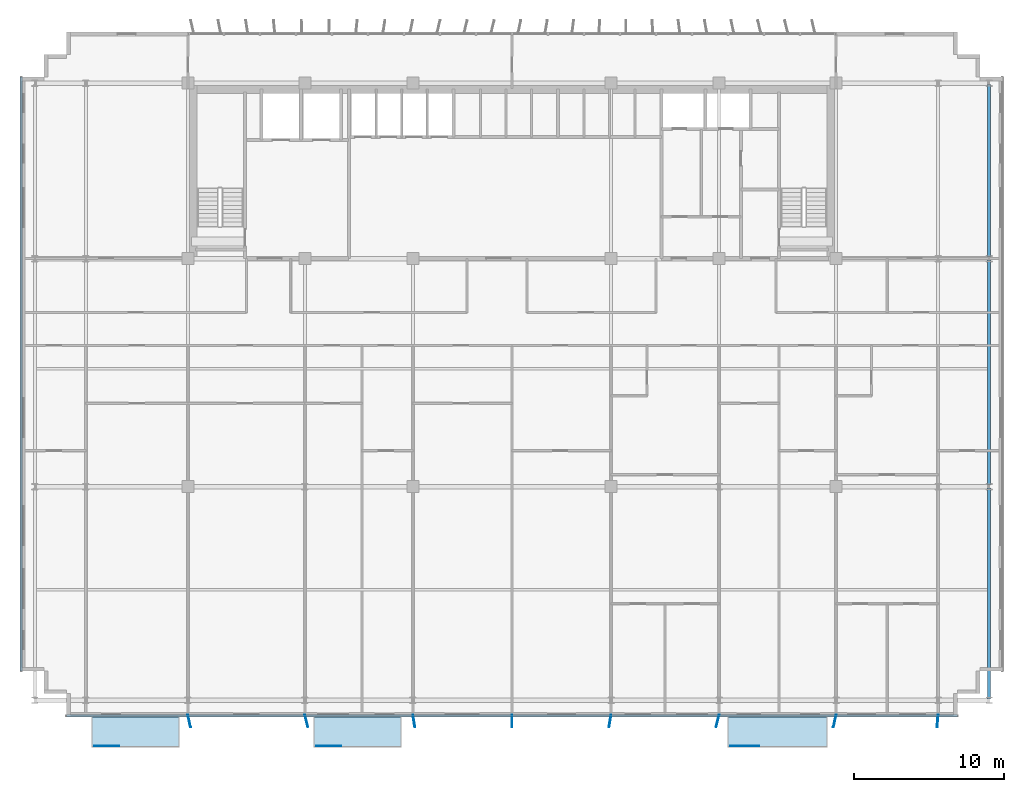
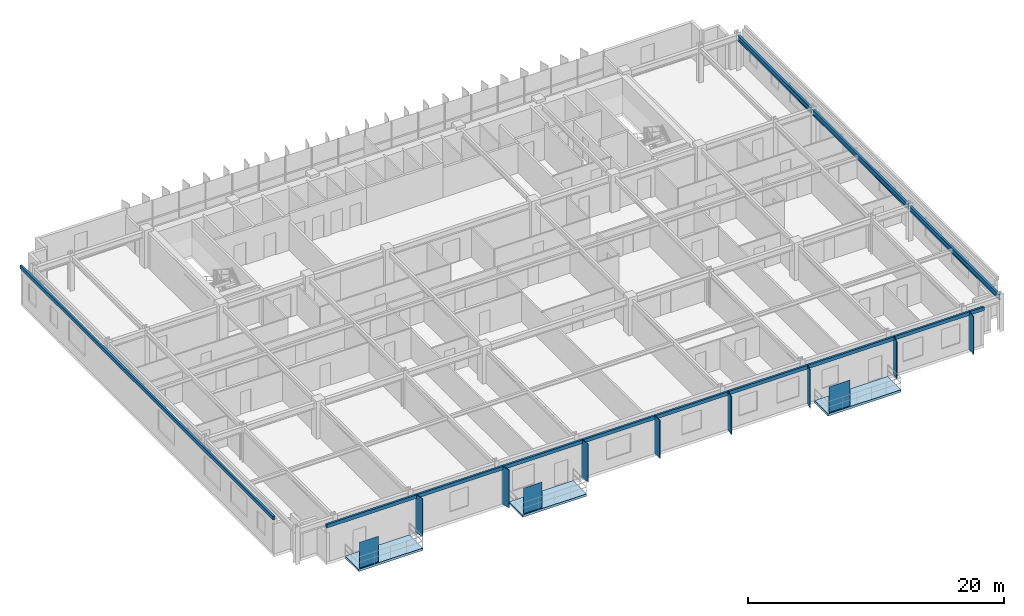
# One storey, part 12 of 21: 13 plates, 3 beams, 3 slabs.
"""IFC4 building model written with IfcOpenShell, lengths in metres."""

import ifcopenshell
import ifcopenshell.guid

model = None  # the IFC model being written
_history = None  # IfcOwnerHistory: only IFC2X3 demands one
_inside = {}  # id of a spatial element -> (the spatial element, [elements in it])
_under = {}  # id of a project, library or spatial element -> (it, [spatial elements below it])
_declared = {}  # id of a project -> (the project, [libraries it declares])
_typed = {}  # id of a type object -> (the type object, [elements of that type])
_made_of = {}  # id of a material, layer set ... -> (it, [elements and type objects made of it])


def new_model(schema):
    """Start an empty IFC model of exactly this schema.

    Asked for "IFC4X3", IfcOpenShell would pick the latest addendum, in which some entities
    have other attributes; the version numbers below select the first issue.
    IFC2X3 requires an IfcOwnerHistory on every rooted entity: one is made here for all.
    """
    global model, _history
    if schema == "IFC4X3":
        model = ifcopenshell.file(schema_version=(4, 3, 0, 0))
    else:
        model = ifcopenshell.file(schema=schema)
    _inside.clear()
    _under.clear()
    _declared.clear()
    _typed.clear()
    _made_of.clear()
    _history = None
    if model.schema == "IFC2X3":
        org = make("IfcOrganization", Name="unknown")
        user = make(
            "IfcPersonAndOrganization",
            ThePerson=make("IfcPerson", FamilyName="unknown"),
            TheOrganization=org,
        )
        app = make(
            "IfcApplication",
            ApplicationDeveloper=org,
            Version="unknown",
            ApplicationFullName="unknown",
            ApplicationIdentifier="unknown",
        )
        _history = make(
            "IfcOwnerHistory",
            OwningUser=user,
            OwningApplication=app,
            ChangeAction="ADDED",
            CreationDate=0,
        )
    return model


def make(cls, **values):
    """One entity of the class cls with the attributes given. An attribute that is None is left unset."""
    return model.create_entity(
        cls, **{name: value for name, value in values.items() if value is not None}
    )


def rooted(cls, **values):
    """An entity with a GlobalId (a new one), such as an element, a storey or a relation."""
    return make(cls, GlobalId=ifcopenshell.guid.new(), OwnerHistory=_history, **values)


def si_unit(unit_type, name, prefix=None):
    """IfcSIUnit, for example si_unit("LENGTHUNIT", "METRE", prefix="MILLI")."""
    return make("IfcSIUnit", UnitType=unit_type, Prefix=prefix, Name=name)


def assignment(units):
    """IfcUnitAssignment: the units of a project."""
    return None if units is None else make("IfcUnitAssignment", Units=units)


def point(xyz):
    """IfcCartesianPoint."""
    return None if xyz is None else make("IfcCartesianPoint", Coordinates=xyz)


def direction(xyz):
    """IfcDirection."""
    return None if xyz is None else make("IfcDirection", DirectionRatios=xyz)


def frame(location, z_axis=None, x_axis=None):
    """IfcAxis2Placement3D, a coordinate frame: its origin and axes. An axis left out is left unset."""
    return make(
        "IfcAxis2Placement3D",
        Location=point(location),
        Axis=direction(z_axis),
        RefDirection=direction(x_axis),
    )


def frame_2d(location, x_axis=None):
    """IfcAxis2Placement2D, a coordinate frame in the plane: its origin and x axis."""
    return make(
        "IfcAxis2Placement2D", Location=point(location), RefDirection=direction(x_axis)
    )


def origin():
    """The frame at (0, 0, 0) with its axes left unset."""
    return frame((0.0, 0.0, 0.0))


def origin_2d():
    """The frame at (0, 0) in the plane with its x axis left unset."""
    return frame_2d((0.0, 0.0))


def place(relative_to, where):
    """IfcLocalPlacement: puts the frame where relative to a parent placement (None: the world)."""
    return make(
        "IfcLocalPlacement", PlacementRelTo=relative_to, RelativePlacement=where
    )


def context(
    kind, dimensions, precision=None, world=None, true_north=None, identifier=None
):
    """IfcGeometricRepresentationContext, for example the 3D "Model" context."""
    return make(
        "IfcGeometricRepresentationContext",
        ContextIdentifier=identifier,
        ContextType=kind,
        CoordinateSpaceDimension=dimensions,
        Precision=precision,
        WorldCoordinateSystem=world,
        TrueNorth=true_north,
    )


def subcontext(parent, identifier, kind, view, scale=None):
    """IfcGeometricRepresentationSubContext, for example "Body" below "Model"."""
    return make(
        "IfcGeometricRepresentationSubContext",
        ContextIdentifier=identifier,
        ContextType=kind,
        ParentContext=parent,
        TargetScale=scale,
        TargetView=view,
    )


def project(units=None, contexts=None):
    """IfcProject with its units and contexts."""
    return rooted(
        "IfcProject",
        Name="project",
        RepresentationContexts=contexts,
        UnitsInContext=assignment(units),
    )


def spatial(cls, under=None, at=None, **own):
    """A site, building, storey or space (cls), placed at a placement, below another one or the project."""
    s = rooted(cls, ObjectPlacement=at, **own)
    if under is not None:
        _under.setdefault(under.id(), (under, []))[1].append(s)
    return s


def polyline(points):
    """IfcPolyline through the points."""
    return make("IfcPolyline", Points=[point(p) for p in points])


def profile(cls, at=None, kind="AREA", **sizes):
    """A parametric profile (cls). Its sizes go by their IFC names, for example OverallWidth=200.0."""
    return make(cls, ProfileType=kind, Position=at, **sizes)


def rectangle(**sizes):
    """IfcRectangleProfileDef."""
    return profile("IfcRectangleProfileDef", **sizes)


def i_section(**sizes):
    """IfcIShapeProfileDef."""
    return profile("IfcIShapeProfileDef", **sizes)


def outline(outer, holes=None, kind="AREA"):
    """IfcArbitraryClosedProfileDef: a profile drawn as a closed curve; with holes, ...WithVoids."""
    if holes is None:
        return make("IfcArbitraryClosedProfileDef", ProfileType=kind, OuterCurve=outer)
    return make(
        "IfcArbitraryProfileDefWithVoids",
        ProfileType=kind,
        OuterCurve=outer,
        InnerCurves=holes,
    )


def extrude(swept, where, along, depth):
    """IfcExtrudedAreaSolid: the profile swept, set in the frame where, extruded along a direction by depth."""
    return make(
        "IfcExtrudedAreaSolid",
        SweptArea=swept,
        Position=where,
        ExtrudedDirection=direction(along),
        Depth=depth,
    )


def shape(context_of_items, identifier, shape_type, items):
    """IfcShapeRepresentation: the items that make up one representation, for example the "Body"."""
    return make(
        "IfcShapeRepresentation",
        ContextOfItems=context_of_items,
        RepresentationIdentifier=identifier,
        RepresentationType=shape_type,
        Items=items,
    )


def source(mapping_origin, context_of_items, identifier, shape_type, items):
    """IfcRepresentationMap: a shape defined once, which mapped items show again and again."""
    return make(
        "IfcRepresentationMap",
        MappingOrigin=mapping_origin,
        MappedRepresentation=shape(context_of_items, identifier, shape_type, items),
    )


def transform(
    local_origin,
    x_axis=None,
    y_axis=None,
    z_axis=None,
    scale=None,
    scale2=None,
    scale3=None,
    uniform=True,
):
    """IfcCartesianTransformationOperator3D, or its non-uniform kind. x_axis, y_axis, z_axis: its Axis1, 2, 3."""
    if uniform:
        return make(
            "IfcCartesianTransformationOperator3D",
            Axis1=direction(x_axis),
            Axis2=direction(y_axis),
            LocalOrigin=point(local_origin),
            Scale=scale,
            Axis3=direction(z_axis),
        )
    return make(
        "IfcCartesianTransformationOperator3DnonUniform",
        Axis1=direction(x_axis),
        Axis2=direction(y_axis),
        LocalOrigin=point(local_origin),
        Scale=scale,
        Axis3=direction(z_axis),
        Scale2=scale2,
        Scale3=scale3,
    )


def mapped(mapping_source, mapping_target):
    """IfcMappedItem: shows the shape of a source again, moved by a transform."""
    return make(
        "IfcMappedItem", MappingSource=mapping_source, MappingTarget=mapping_target
    )


def material(Name=None, Category=None):
    """IfcMaterial."""
    return make("IfcMaterial", Name=Name, Category=Category)


def layer(
    of_material, thickness, ventilated=None, Name=None, Category=None, Priority=None
):
    """IfcMaterialLayer: one layer of a wall or slab, of a material (None: an air gap)."""
    return make(
        "IfcMaterialLayer",
        Material=of_material,
        LayerThickness=thickness,
        IsVentilated=ventilated,
        Name=Name,
        Category=Category,
        Priority=Priority,
    )


def layer_set(layers, Name=None):
    """IfcMaterialLayerSet."""
    return make("IfcMaterialLayerSet", MaterialLayers=layers, LayerSetName=Name)


def material_profile(
    of_material, cross_section, Name=None, Category=None, Priority=None
):
    """IfcMaterialProfile: a cross section and its material."""
    return make(
        "IfcMaterialProfile",
        Name=Name,
        Material=of_material,
        Profile=cross_section,
        Priority=Priority,
        Category=Category,
    )


def profile_set(profiles, Name=None, composite=None):
    """IfcMaterialProfileSet."""
    return make(
        "IfcMaterialProfileSet",
        Name=Name,
        MaterialProfiles=profiles,
        CompositeProfile=composite,
    )


def made_of(thing, what):
    """Note that an element or type object is made of a material, layer set ...; save() writes the relation."""
    if what is not None:
        _made_of.setdefault(what.id(), (what, []))[1].append(thing)
    return thing


def type_object(cls, material=None, **own):
    """A type object (cls), such as IfcWallType, which elements share."""
    return made_of(rooted(cls, **own), material)


def element(
    cls,
    number,
    at=None,
    inside=None,
    cuts=None,
    type_object=None,
    material=None,
    context=None,
    identifier="Body",
    shape_type=None,
    held_by="IfcProductDefinitionShape",
    body=None,
    shapes=None,
    **own,
):
    """One element of the class cls, such as IfcWall. Its Tag is "e" and its number.

    at: its placement. inside: the storey or other place that contains it. cuts: it is an
    opening in that element (IfcRelVoidsElement). A single representation is given by context,
    identifier, shape_type and body (its items); several are given by shapes. held_by: the class
    of the entity that holds the representations. save() writes the other relations.
    """
    e = rooted(cls, Tag="e%d" % number, ObjectPlacement=at, **own)
    if body is not None:
        shapes = [shape(context, identifier, shape_type, body)]
    if shapes is not None:
        e.Representation = make(held_by, Representations=shapes)
    if inside is not None:
        _inside.setdefault(inside.id(), (inside, []))[1].append(e)
    if cuts is not None:
        rooted(
            "IfcRelVoidsElement", RelatingBuildingElement=cuts, RelatedOpeningElement=e
        )
    if type_object is not None:
        _typed.setdefault(type_object.id(), (type_object, []))[1].append(e)
    return made_of(e, material)


def aggregate(whole, parts):
    """IfcRelAggregates: a whole, such as a stair, and the parts it consists of."""
    return rooted("IfcRelAggregates", RelatingObject=whole, RelatedObjects=parts)


def save(model, path):
    """Write the relations noted so far, then the file.

    IfcRelAggregates (storeys below a building ...), IfcRelContainedInSpatialStructure (elements
    in a storey), IfcRelDefinesByType, IfcRelAssociatesMaterial and IfcRelDeclares: one each for
    every whole, place, type object, material and project.
    """
    for whole, parts in _under.values():
        aggregate(whole, parts)
    for where, things in _inside.values():
        rooted(
            "IfcRelContainedInSpatialStructure",
            RelatedElements=things,
            RelatingStructure=where,
        )
    for kind, things in _typed.values():
        rooted("IfcRelDefinesByType", RelatedObjects=things, RelatingType=kind)
    for what, things in _made_of.values():
        rooted("IfcRelAssociatesMaterial", RelatedObjects=things, RelatingMaterial=what)
    for by, libraries in _declared.values():
        rooted("IfcRelDeclares", RelatingContext=by, RelatedDefinitions=libraries)
    model.write(path)


model = new_model("IFC4")

# Units and contexts
model_context = context("Model", 3, precision=1e-05, world=origin(), true_north=direction((0.0, 1.0)))
body_context = subcontext(model_context, "Body", "Model", "MODEL_VIEW")
ifc_project = project(units=[si_unit("LENGTHUNIT", "METRE"), si_unit("AREAUNIT", "SQUARE_METRE"), si_unit("VOLUMEUNIT", "CUBIC_METRE"), si_unit("PLANEANGLEUNIT", "RADIAN"), si_unit("MASSUNIT", "GRAM", prefix="KILO")], contexts=[model_context])

# Site, building, storey
site_placement = place(None, origin())
site = spatial("IfcSite", under=ifc_project, at=site_placement, CompositionType="ELEMENT")
building_placement = place(site_placement, origin())
building = spatial("IfcBuilding", under=site, at=building_placement, Name="Trelvane Seafront Commons", CompositionType="ELEMENT")
storey_placement = place(building_placement, frame((0.0, 0.0, 110.5)))
storey = spatial("IfcBuildingStorey", under=building, at=storey_placement, Name="L28", CompositionType="ELEMENT", Elevation=110.5)

# Beams
ifc_material_1 = material(Name="Steel SM355 (S355)", Category="steel")
ifc_material_profile = material_profile(ifc_material_1, i_section(OverallWidth=0.199951171875, OverallDepth=0.5, WebThickness=0.010009765625, FlangeThickness=0.01611328125, at=origin_2d()), Name="H-500x200x10x16")
ifc_profile_set = profile_set([ifc_material_profile], Name="Steel SM355 (S355)")
beam_type = type_object("IfcBeamType", Name="STR-BM-H500", PredefinedType="BEAM", material=ifc_profile_set)
shared_shape_1 = source(origin(), body_context, "Body", "SweptSolid", [
    extrude(i_section(OverallWidth=0.199951171875, OverallDepth=0.5, WebThickness=0.010009765625, FlangeThickness=0.01611328125, at=origin_2d()), origin(), (0.0, 0.0, 1.0), 14.050048828125),
])
beam_1_placement = place(storey_placement, frame((69.0, 4.050048828125, 3.090087890625), z_axis=(0.0, 1.0, 0.0), x_axis=(-1.0, 0.0, 0.0)))
element("IfcBeam", 1, at=beam_1_placement, inside=storey, type_object=beam_type, Name="L28 Primary Girder G-64", PredefinedType="BEAM", context=body_context, shape_type="MappedRepresentation", body=[
    mapped(shared_shape_1, transform((0.0, 0.0, 0.0), x_axis=(1.0, 0.0, 0.0), y_axis=(0.0, 1.0, 0.0), z_axis=(0.0, 0.0, 1.0), scale=1.0)),
])
shared_shape_2 = source(origin(), body_context, "Body", "SweptSolid", [
    extrude(i_section(OverallWidth=0.199951171875, OverallDepth=0.5, WebThickness=0.010009765625, FlangeThickness=0.01611328125, at=origin_2d()), origin(), (0.0, 0.0, 1.0), 15.0),
])
beam_2_placement = place(storey_placement, frame((69.0, 18.300048828125, 3.090087890625), z_axis=(0.0, 1.0, 0.0), x_axis=(-1.0, 0.0, 0.0)))
element("IfcBeam", 2, at=beam_2_placement, inside=storey, type_object=beam_type, Name="L28 Primary Girder G-65", PredefinedType="BEAM", context=body_context, shape_type="MappedRepresentation", body=[
    mapped(shared_shape_2, transform((0.0, 0.0, 0.0), x_axis=(1.0, 0.0, 0.0), y_axis=(0.0, 1.0, 0.0), z_axis=(0.0, 0.0, 1.0), scale=1.0)),
])
shared_shape_3 = source(origin(), body_context, "Body", "SweptSolid", [
    extrude(i_section(OverallWidth=0.199951171875, OverallDepth=0.5, WebThickness=0.010009765625, FlangeThickness=0.01611328125, at=origin_2d()), origin(), (0.0, 0.0, 1.0), 11.5),
])
beam_3_placement = place(storey_placement, frame((69.0, 33.5, 3.090087890625), z_axis=(0.0, 1.0, 0.0), x_axis=(-1.0, 0.0, 0.0)))
element("IfcBeam", 3, at=beam_3_placement, inside=storey, type_object=beam_type, Name="L28 Primary Girder G-66", PredefinedType="BEAM", context=body_context, shape_type="MappedRepresentation", body=[
    mapped(shared_shape_3, transform((0.0, 0.0, 0.0), x_axis=(1.0, 0.0, 0.0), y_axis=(0.0, 1.0, 0.0), z_axis=(0.0, 0.0, 1.0), scale=1.0)),
])

# Slabs
ifc_material_2 = material(Name="Concrete C40/50", Category="concrete")
ifc_layer_1 = layer(ifc_material_2, 0.219970703125, Name="ARCH-BALC-220")
ifc_layer_set_1 = layer_set([ifc_layer_1], Name="Concrete C40/50")
slab_type = type_object("IfcSlabType", Name="ARCH-BALC-220", PredefinedType="FLOOR", material=ifc_layer_set_1)
slab_1_placement = place(storey_placement, frame((0.0, 0.0, -0.219970703125)))
element("IfcSlab", 4, at=slab_1_placement, inside=storey, type_object=slab_type, Name="L28 Cantilevered Tree Balcony Loggia 1", PredefinedType="FLOOR", context=body_context, shape_type="SweptSolid", body=[
    extrude(outline(polyline([(9.199951171875, 0.800048828125), (15.0, 0.800048828125), (15.0, 2.89990234375), (9.199951171875, 2.89990234375), (9.199951171875, 0.800048828125)])), origin(), (0.0, 0.0, 1.0), 0.219970703125),
])
slab_2_placement = place(storey_placement, frame((0.0, 0.0, -0.219970703125)))
element("IfcSlab", 5, at=slab_2_placement, inside=storey, type_object=slab_type, Name="L28 Cantilevered Tree Balcony Loggia 2", PredefinedType="FLOOR", context=body_context, shape_type="SweptSolid", body=[
    extrude(outline(polyline([(24.0, 0.800048828125), (29.800048828125, 0.800048828125), (29.800048828125, 2.89990234375), (24.0, 2.89990234375), (24.0, 0.800048828125)])), origin(), (0.0, 0.0, 1.0), 0.219970703125),
])
slab_3_placement = place(storey_placement, frame((0.0, 0.0, -0.219970703125)))
element("IfcSlab", 6, at=slab_3_placement, inside=storey, type_object=slab_type, Name="L28 Cantilevered Tree Balcony Loggia 3", PredefinedType="FLOOR", context=body_context, shape_type="SweptSolid", body=[
    extrude(outline(polyline([(51.60009765625, 0.800048828125), (58.199951171875, 0.800048828125), (58.199951171875, 2.89990234375), (51.60009765625, 2.89990234375), (51.60009765625, 0.800048828125)])), origin(), (0.0, 0.0, 1.0), 0.219970703125),
])

# Plates
ifc_material_3 = material(Name="Perforated anodised aluminium screen", Category="aluminium")
ifc_layer_2 = layer(ifc_material_3, 0.01611328125, Name="ARCH-PLATE-SCREEN")
ifc_layer_set_2 = layer_set([ifc_layer_2], Name="Perforated anodised aluminium screen")
plate_type_1 = type_object("IfcPlateType", Name="ARCH-PLATE-SCREEN", PredefinedType="USERDEFINED", material=ifc_layer_set_2)
shared_shape_4 = source(origin(), body_context, "Body", "SweptSolid", [
    extrude(rectangle(XDim=1.9140625, YDim=0.01611328125, at=origin_2d()), origin(), (0.0, 0.0, 1.0), 2.449951171875),
])
plate_1_placement = place(storey_placement, frame((52.70703125, 0.919921875, 0.0), z_axis=(0.0, 0.0, 1.0), x_axis=(1.0, 0.0, 0.0)))
element("IfcPlate", 7, at=plate_1_placement, inside=storey, type_object=plate_type_1, Name="SCR-L28-00106", ObjectType="SCREEN", PredefinedType="USERDEFINED", context=body_context, shape_type="MappedRepresentation", body=[
    mapped(shared_shape_4, transform((0.0, 0.0, 0.0), x_axis=(1.0, 0.0, 0.0), y_axis=(0.0, 1.0, 0.0), z_axis=(0.0, 0.0, 1.0), scale=1.0)),
])
shared_shape_5 = source(origin(), body_context, "Body", "SweptSolid", [
    extrude(rectangle(XDim=1.681884765625, YDim=0.01611328125, at=origin_2d()), origin(), (0.0, 0.0, 1.0), 2.449951171875),
])
for number, where, z_axis, x_axis, name in (
    (8, (10.19091796875, 0.919921875, 0.0), (0.0, 0.0, 1.0), (1.0, 0.0, 0.0), "SCR-L28-00104"),
    (9, (24.990966796875, 0.919921875, 0.0), (0.0, 0.0, 1.0), (1.0, 0.0, 0.0), "SCR-L28-00105"),
):
    element("IfcPlate", number, at=place(storey_placement, frame(where, z_axis=z_axis, x_axis=x_axis)), inside=storey, type_object=plate_type_1, Name=name, ObjectType="SCREEN", PredefinedType="USERDEFINED", context=body_context, shape_type="MappedRepresentation", body=[
        mapped(shared_shape_5, transform((0.0, 0.0, 0.0), x_axis=(1.0, 0.0, 0.0), y_axis=(0.0, 1.0, 0.0), z_axis=(0.0, 0.0, 1.0), scale=1.0)),
    ])
ifc_material_4 = material(Name="Anodised pale-silver aluminium", Category="aluminium")
ifc_layer_3 = layer(ifc_material_4, 0.06005859375, Name="ARCH-PLATE-FIN900")
ifc_layer_set_3 = layer_set([ifc_layer_3], Name="Anodised pale-silver aluminium")
plate_type_2 = type_object("IfcPlateType", Name="ARCH-PLATE-FIN900", PredefinedType="USERDEFINED", material=ifc_layer_set_3)
shared_shape_6 = source(origin(), body_context, "Body", "SweptSolid", [
    extrude(rectangle(XDim=0.85009765625, YDim=0.06005859375, at=origin_2d()), origin(), (0.0, 0.0, 1.0), 3.639892578125),
])
for number, where, z_axis, x_axis, name in (
    (10, (15.689208984375, 2.58447265625, -0.02001953125), (0.0, 0.0, 1.0), (0.210123674799, -0.977674813672, 0.0), "FIN-S-L28-00738"),
    (11, (23.501220703125, 2.58740234375, -0.02001953125), (0.0, 0.0, 1.0), (0.238241915595, -0.971205843091, 0.0), "FIN-S-L28-00739"),
    (12, (30.666259765625, 2.580078125, -0.02001953125), (0.0, 0.0, 1.0), (0.155655240151, -0.987811442641, 0.0), "FIN-S-L28-00740"),
    (13, (37.199462890625, 2.574951171875, -0.02001953125), (0.0, 0.0, 1.0), (-0.001411970896, -0.999999003169, 0.0), "FIN-S-L28-00741"),
    (14, (43.73291015625, 2.580322265625, -0.02001953125), (0.0, 0.0, 1.0), (-0.157889216892, -0.987456832064, 0.0), "FIN-S-L28-00742"),
    (15, (50.898681640625, 2.58740234375, -0.02001953125), (0.0, 0.0, 1.0), (-0.238713118096, -0.971090133432, 0.0), "FIN-S-L28-00743"),
    (16, (58.711181640625, 2.584228515625, -0.02001953125), (0.0, 0.0, 1.0), (-0.208589395133, -0.97800330482, 0.0), "FIN-S-L28-00744"),
):
    element("IfcPlate", number, at=place(storey_placement, frame(where, z_axis=z_axis, x_axis=x_axis)), inside=storey, type_object=plate_type_2, Name=name, ObjectType="FIN", PredefinedType="USERDEFINED", context=body_context, shape_type="MappedRepresentation", body=[
        mapped(shared_shape_6, transform((0.0, 0.0, 0.0), x_axis=(1.0, 0.0, 0.0), y_axis=(0.0, 1.0, 0.0), z_axis=(0.0, 0.0, 1.0), scale=1.0)),
    ])
ifc_layer_4 = layer(ifc_material_4, 0.179931640625, Name="ARCH-PLATE-AERO")
ifc_layer_set_4 = layer_set([ifc_layer_4], Name="Anodised pale-silver aluminium")
plate_type_3 = type_object("IfcPlateType", Name="ARCH-PLATE-AERO", PredefinedType="SHEET", material=ifc_layer_set_4)
shared_shape_7 = source(origin(), body_context, "Body", "SweptSolid", [
    extrude(rectangle(XDim=39.60009765625, YDim=0.179931640625, at=origin_2d()), origin(), (0.0, 0.0, 1.0), 0.340087890625),
])
plate_2_placement = place(storey_placement, frame((4.5, 25.699951171875, 3.27978515625), z_axis=(0.0, 0.0, 1.0), x_axis=(0.0, 1.0, 0.0)))
element("IfcPlate", 17, at=plate_2_placement, inside=storey, type_object=plate_type_3, Name="AER-L28-00102", PredefinedType="SHEET", context=body_context, shape_type="MappedRepresentation", body=[
    mapped(shared_shape_7, transform((0.0, 0.0, 0.0), x_axis=(1.0, 0.0, 0.0), y_axis=(0.0, 1.0, 0.0), z_axis=(0.0, 0.0, 1.0), scale=1.0)),
])
shared_shape_8 = source(origin(), body_context, "Body", "SweptSolid", [
    extrude(rectangle(XDim=59.39990234375, YDim=0.179931640625, at=origin_2d()), origin(), (0.0, 0.0, 1.0), 0.340087890625),
])
plate_3_placement = place(storey_placement, frame((37.199951171875, 2.93994140625, 3.27978515625), z_axis=(0.0, 0.0, 1.0), x_axis=(-1.0, 0.0, 0.0)))
element("IfcPlate", 18, at=plate_3_placement, inside=storey, type_object=plate_type_3, Name="AER-S-L28-00107", PredefinedType="SHEET", context=body_context, shape_type="MappedRepresentation", body=[
    mapped(shared_shape_8, transform((0.0, 0.0, 0.0), x_axis=(1.0, 0.0, 0.0), y_axis=(0.0, 1.0, 0.0), z_axis=(0.0, 0.0, 1.0), scale=1.0)),
])
shared_shape_9 = source(origin(), body_context, "Body", "SweptSolid", [
    extrude(rectangle(XDim=0.849853515625, YDim=0.06005859375, at=origin_2d()), origin(), (0.0, 0.0, 1.0), 3.639892578125),
])
plate_4_placement = place(storey_placement, frame((65.56591796875, 2.576416015625, -0.02001953125), z_axis=(0.0, 0.0, 1.0), x_axis=(-0.080357236684, -0.996766128293, 0.0)))
element("IfcPlate", 19, at=plate_4_placement, inside=storey, type_object=plate_type_2, Name="FIN-S-L28-00745", ObjectType="FIN", PredefinedType="USERDEFINED", context=body_context, shape_type="MappedRepresentation", body=[
    mapped(shared_shape_9, transform((0.0, 0.0, 0.0), x_axis=(1.0, 0.0, 0.0), y_axis=(0.0, 1.0, 0.0), z_axis=(0.0, 0.0, 1.0), scale=1.0)),
])

save(model, "model.ifc")
